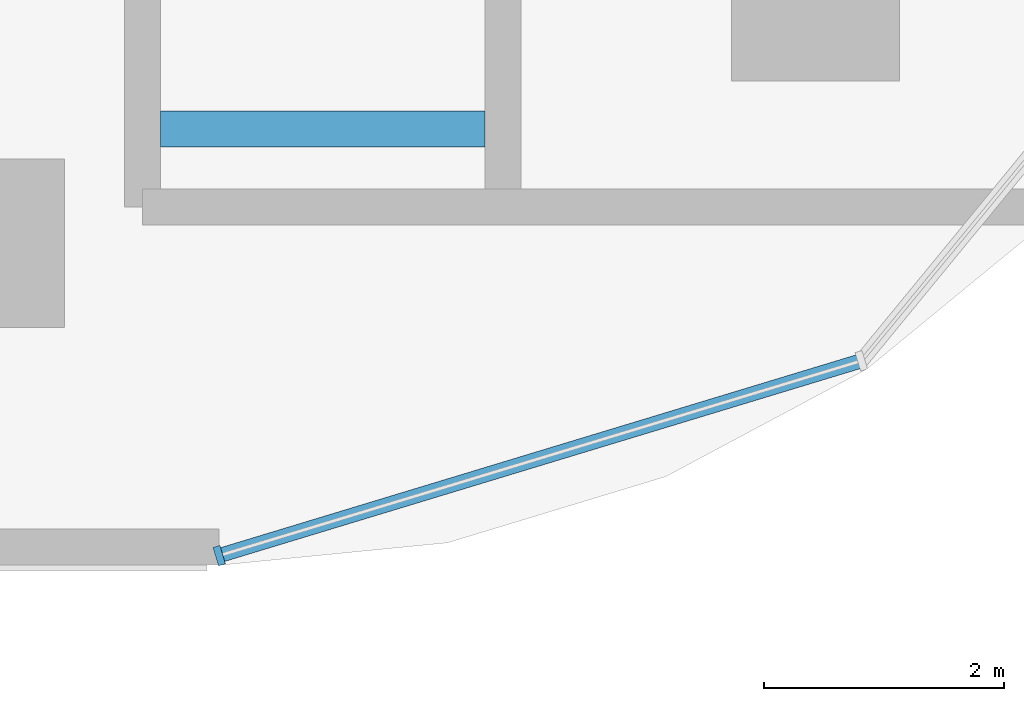
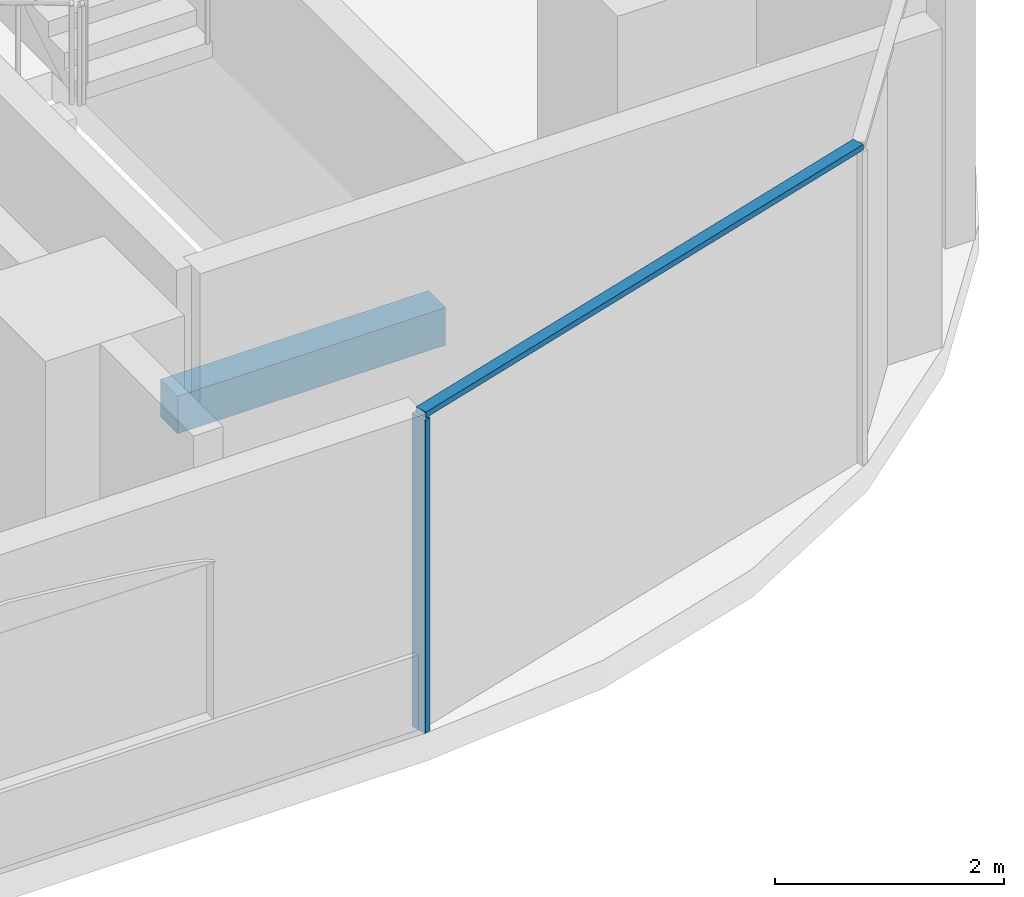
# One storey, part 3 of 34: 2 members, 1 beam, 1 element without a shape of its own.
"""IFC4 building model written with IfcOpenShell, lengths in metres."""

from ifc_helpers import new_model, si_unit, direction, frame, origin, origin_2d, place, context, subcontext, project, spatial, rectangle, extrude, material, material_profile, profile_set, type_object, element, aggregate, save


model = new_model("IFC4")

# Units and contexts
model_context = context("Model", 3, precision=1e-05, world=origin(), true_north=direction((0.0, 1.0)))
body_context = subcontext(model_context, "Body", "Model", "MODEL_VIEW")
ifc_project = project(units=[si_unit("LENGTHUNIT", "METRE"), si_unit("AREAUNIT", "SQUARE_METRE"), si_unit("VOLUMEUNIT", "CUBIC_METRE"), si_unit("PLANEANGLEUNIT", "RADIAN"), si_unit("MASSUNIT", "GRAM", prefix="KILO")], contexts=[model_context])

# Site, building, storey
site_placement = place(None, origin())
site = spatial("IfcSite", under=ifc_project, at=site_placement, CompositionType="ELEMENT")
building_placement = place(site_placement, origin())
building = spatial("IfcBuilding", under=site, at=building_placement, Name="Ogive Portal Towers", CompositionType="ELEMENT")
storey_placement = place(building_placement, frame((0.0, 0.0, 66.800048828125)))
storey = spatial("IfcBuildingStorey", under=building, at=storey_placement, Name="L15", CompositionType="ELEMENT", Elevation=66.800048828125)

# Beam
ifc_material_1 = material(Name="Concrete C40/50", Category="concrete")
ifc_material_profile_1 = material_profile(ifc_material_1, rectangle(XDim=0.300048828125, YDim=0.39990234375, at=origin_2d()), Name="RC 300x400")
ifc_profile_set_1 = profile_set([ifc_material_profile_1], Name="Concrete C40/50")
beam_type = type_object("IfcBeamType", Name="BEAM RC 300x400", PredefinedType="BEAM", material=ifc_profile_set_1)
beam_placement = place(storey_placement, frame((87.0, 22.449951171875, 1.449951171875), z_axis=(1.0, 0.0, 0.0), x_axis=(0.0, 1.0, 0.0)))
element("IfcBeam", 1, at=beam_placement, inside=storey, type_object=beam_type, Name="Landing beam L15", PredefinedType="BEAM", context=body_context, shape_type="SweptSolid", body=[
    extrude(rectangle(XDim=0.300048828125, YDim=0.39990234375, at=origin_2d()), origin(), (0.0, 0.0, 1.0), 2.699951171875),
])

# Curtain wall, members
ifc_material_2 = material(Name="Glass, clear low-iron insulated glazing", Category="glass")
curtain_wall_type = type_object("IfcCurtainWallType", Name="CW FRONT RIBBON 4500", PredefinedType="NOTDEFINED", material=ifc_material_2)
curtain_wall_placement = place(storey_placement, origin())
curtain_wall = element("IfcCurtainWall", 2, at=curtain_wall_placement, inside=storey, type_object=curtain_wall_type, Name="A:L15:f09:cwa", PredefinedType="NOTDEFINED")
ifc_material_3 = material(Name="Aluminium 6063 anodised", Category="aluminium")
ifc_material_profile_2 = material_profile(ifc_material_3, rectangle(XDim=0.159912109375, YDim=0.06005859375, at=origin_2d()), Name="AL 60x160")
ifc_profile_set_2 = profile_set([ifc_material_profile_2], Name="Aluminium 6063 anodised")
member_type_1 = type_object("IfcMemberType", Name="CW MULLION 60x160", PredefinedType="MULLION", material=ifc_profile_set_2)
member_1_placement = place(storey_placement, frame((87.488037109375, 18.89990234375, 0.0), z_axis=(0.0, 0.0, 1.0), x_axis=(-0.290284677254, 0.956940335732, 0.0)))
member_1 = element("IfcMember", 3, at=member_1_placement, type_object=member_type_1, Name="mullion", PredefinedType="MULLION", context=body_context, shape_type="SweptSolid", body=[
    extrude(rectangle(XDim=0.159912109375, YDim=0.06005859375, at=origin_2d()), origin(), (0.0, 0.0, 1.0), 3.33984375),
])
ifc_material_profile_3 = material_profile(ifc_material_3, rectangle(XDim=0.1201171875, YDim=0.06005859375, at=origin_2d()), Name="AL 120x60")
ifc_profile_set_3 = profile_set([ifc_material_profile_3], Name="Aluminium 6063 anodised")
member_type_2 = type_object("IfcMemberType", Name="CW TRANSOM 60x120", PredefinedType="USERDEFINED", material=ifc_profile_set_3)
member_2_placement = place(storey_placement, frame((87.488037109375, 18.89990234375, 3.369873046875), z_axis=(0.956932427214, 0.290310746868, 0.0), x_axis=(-0.290310746868, 0.956932427214, 0.0)))
member_2 = element("IfcMember", 4, at=member_2_placement, type_object=member_type_2, Name="transom", ObjectType="TRANSOM", PredefinedType="USERDEFINED", context=body_context, shape_type="SweptSolid", body=[
    extrude(rectangle(XDim=0.1201171875, YDim=0.06005859375, at=origin_2d()), origin(), (0.0, 0.0, 1.0), 5.583984375),
])
aggregate(curtain_wall, [member_2, member_1])

save(model, "model.ifc")
